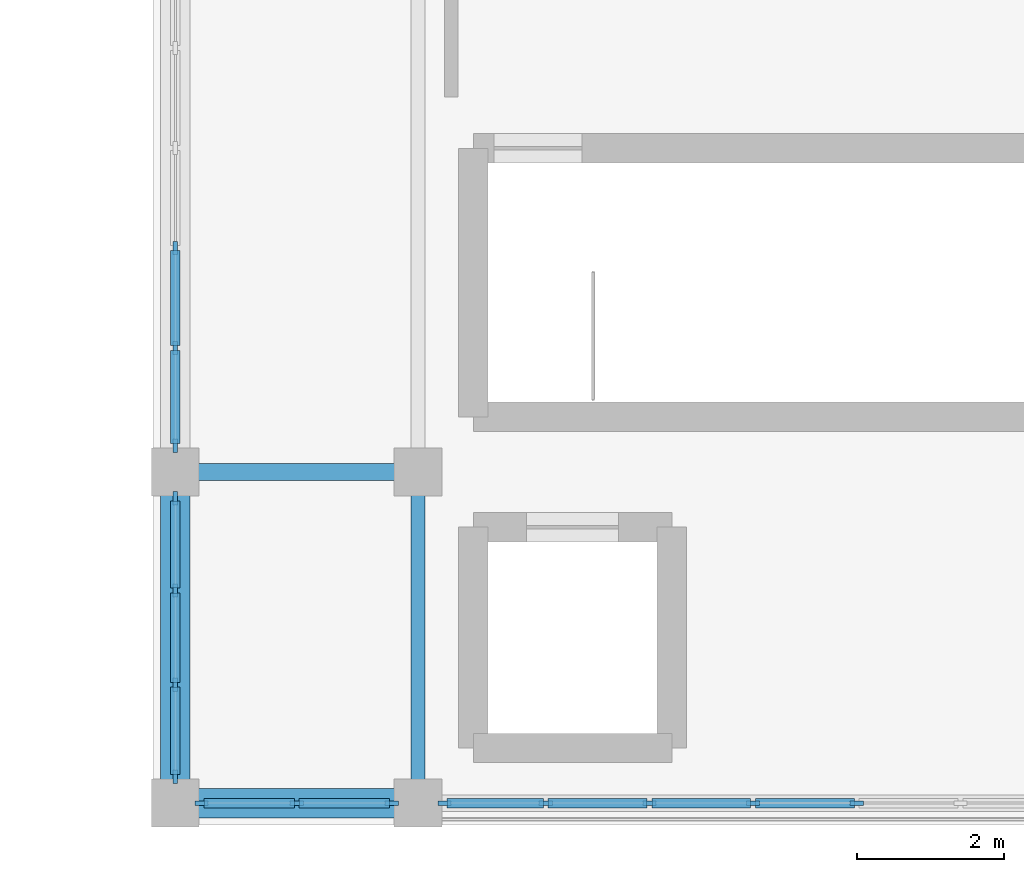
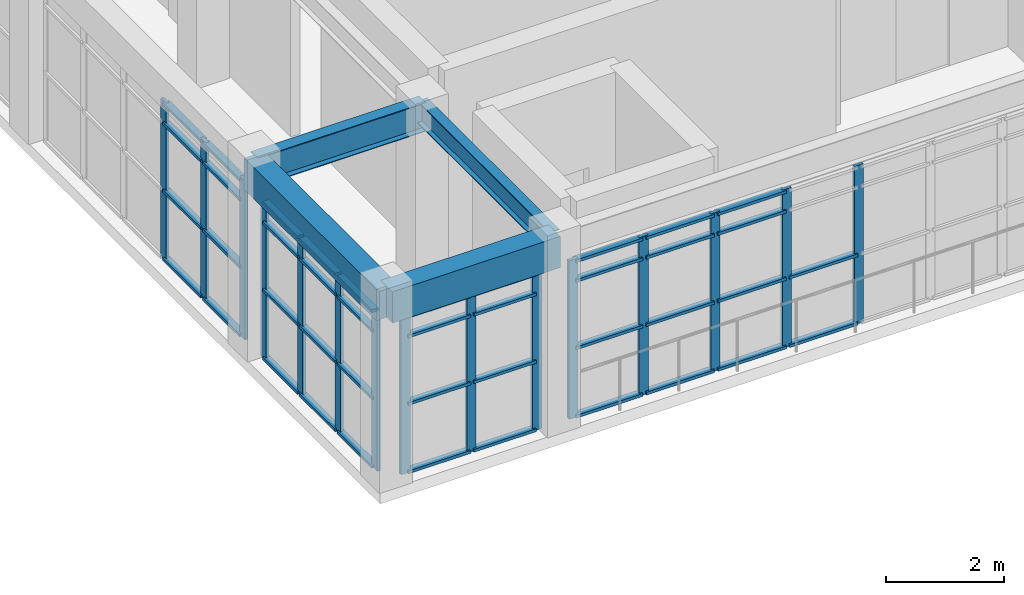
# One storey, part 17 of 66: 57 members, 4 beams, 4 elements without a shape of their own.
"""IFC4 building model written with IfcOpenShell, lengths in metres."""

from ifc_helpers import new_model, si_unit, direction, frame, origin, origin_2d, place, context, subcontext, project, spatial, rectangle, i_section, extrude, material, layer, layer_set, material_profile, profile_set, type_object, element, aggregate, save


model = new_model("IFC4")

# Units and contexts
model_context = context("Model", 3, precision=1e-05, world=origin(), true_north=direction((0.0, 1.0)))
body_context = subcontext(model_context, "Body", "Model", "MODEL_VIEW")
ifc_project = project(units=[si_unit("LENGTHUNIT", "METRE"), si_unit("AREAUNIT", "SQUARE_METRE"), si_unit("VOLUMEUNIT", "CUBIC_METRE"), si_unit("PLANEANGLEUNIT", "RADIAN"), si_unit("MASSUNIT", "GRAM", prefix="KILO")], contexts=[model_context])

# Site, building, storey
site_placement = place(None, origin())
site = spatial("IfcSite", under=ifc_project, at=site_placement, CompositionType="ELEMENT")
building_placement = place(site_placement, origin())
building = spatial("IfcBuilding", under=site, at=building_placement, Name="Candilejo Ridge Gondola Terminal", CompositionType="ELEMENT")
storey_placement = place(building_placement, frame((0.0, 0.0, 14.39990234375)))
storey = spatial("IfcBuildingStorey", under=building, at=storey_placement, Name="L03", CompositionType="ELEMENT", Elevation=14.39990234375)

# Curtain wall, members
ifc_material_1 = material(Name="Anodised aluminium AA 6063-T6", Category="aluminium")
ifc_layer_1 = layer(ifc_material_1, 0.169921875)
ifc_layer_set_1 = layer_set([ifc_layer_1], Name="ARC-CW-HALL-3800-385X329")
curtain_wall_type_1 = type_object("IfcCurtainWallType", Name="ARC-CW-HALL-3800-385X329", PredefinedType="NOTDEFINED", material=ifc_layer_set_1)
curtain_wall_1_placement = place(storey_placement, origin())
curtain_wall_1 = element("IfcCurtainWall", 1, at=curtain_wall_1_placement, inside=storey, type_object=curtain_wall_type_1, Name="Curtain wall V4 L03-152", PredefinedType="NOTDEFINED")
ifc_material_2 = material(Name="Anodised aluminium AA 6063-T6", Category="aluminium")
ifc_material_profile_1 = material_profile(ifc_material_2, rectangle(XDim=0.06494140625, YDim=0.179931640625, at=origin_2d()))
ifc_profile_set_1 = profile_set([ifc_material_profile_1], Name="Anodised aluminium AA 6063-T6")
member_type_1 = type_object("IfcMemberType", Name="ARC-CW-MULLION-180", PredefinedType="MULLION", material=ifc_profile_set_1)
member_1_placement = place(storey_placement, frame((133.89990234375, 6.657470703125, 0.0), z_axis=(0.0, 0.0, 1.0), x_axis=(-1.0, 0.0, 0.0)))
member_1 = element("IfcMember", 2, at=member_1_placement, type_object=member_type_1, Name="CW-38X32 mullion 1", PredefinedType="MULLION", context=body_context, shape_type="SweptSolid", body=[
    extrude(rectangle(XDim=0.06494140625, YDim=0.179931640625, at=origin_2d()), origin(), (0.0, 0.0, 1.0), 3.2900390625),
])
member_2_placement = place(storey_placement, frame((133.89990234375, 7.908447265625, 0.0), z_axis=(0.0, 0.0, 1.0), x_axis=(-1.0, 0.0, 0.0)))
member_2 = element("IfcMember", 3, at=member_2_placement, type_object=member_type_1, Name="CW-38X32 mullion 2", PredefinedType="MULLION", context=body_context, shape_type="SweptSolid", body=[
    extrude(rectangle(XDim=0.06494140625, YDim=0.179931640625, at=origin_2d()), origin(), (0.0, 0.0, 1.0), 3.2900390625),
])
member_3_placement = place(storey_placement, frame((133.89990234375, 9.191650390625, 0.0), z_axis=(0.0, 0.0, 1.0), x_axis=(-1.0, 0.0, 0.0)))
member_3 = element("IfcMember", 4, at=member_3_placement, type_object=member_type_1, Name="CW-38X32 mullion 3", PredefinedType="MULLION", context=body_context, shape_type="SweptSolid", body=[
    extrude(rectangle(XDim=0.06494140625, YDim=0.179931640625, at=origin_2d()), origin(), (0.0, 0.0, 1.0), 3.2900390625),
])
member_4_placement = place(storey_placement, frame((133.89990234375, 10.4423828125, 0.0), z_axis=(0.0, 0.0, 1.0), x_axis=(-1.0, 0.0, 0.0)))
member_4 = element("IfcMember", 5, at=member_4_placement, type_object=member_type_1, Name="CW-38X32 mullion 4", PredefinedType="MULLION", context=body_context, shape_type="SweptSolid", body=[
    extrude(rectangle(XDim=0.06494140625, YDim=0.179931640625, at=origin_2d()), origin(), (0.0, 0.0, 1.0), 3.2900390625),
])

ifc_material_3 = material(Name="Anodised aluminium AA 6063-T6", Category="aluminium")
ifc_layer_2 = layer(ifc_material_3, 0.169921875)
ifc_layer_set_2 = layer_set([ifc_layer_2], Name="ARC-CW-HALL-3800-680X329")
curtain_wall_type_2 = type_object("IfcCurtainWallType", Name="ARC-CW-HALL-3800-680X329", PredefinedType="NOTDEFINED", material=ifc_layer_set_2)
curtain_wall_2_placement = place(storey_placement, origin())
curtain_wall_2 = element("IfcCurtainWall", 6, at=curtain_wall_2_placement, inside=storey, type_object=curtain_wall_type_2, Name="Curtain wall V4 L03-154", PredefinedType="NOTDEFINED")
member_5_placement = place(storey_placement, frame((133.89990234375, 11.157470703125, 0.0), z_axis=(0.0, 0.0, 1.0), x_axis=(-1.0, 0.0, 0.0)))
member_5 = element("IfcMember", 7, at=member_5_placement, type_object=member_type_1, Name="CW-68X32 mullion 1", PredefinedType="MULLION", context=body_context, shape_type="SweptSolid", body=[
    extrude(rectangle(XDim=0.06494140625, YDim=0.179931640625, at=origin_2d()), origin(), (0.0, 0.0, 1.0), 3.2900390625),
])
member_6_placement = place(storey_placement, frame((133.89990234375, 12.485107421875, 0.0), z_axis=(0.0, 0.0, 1.0), x_axis=(-1.0, 0.0, 0.0)))
member_6 = element("IfcMember", 8, at=member_6_placement, type_object=member_type_1, Name="CW-68X32 mullion 2", PredefinedType="MULLION", context=body_context, shape_type="SweptSolid", body=[
    extrude(rectangle(XDim=0.06494140625, YDim=0.179931640625, at=origin_2d()), origin(), (0.0, 0.0, 1.0), 3.2900390625),
])
member_7_placement = place(storey_placement, frame((133.89990234375, 13.844970703125, 0.0), z_axis=(0.0, 0.0, 1.0), x_axis=(-1.0, 0.0, 0.0)))
member_7 = element("IfcMember", 9, at=member_7_placement, type_object=member_type_1, Name="CW-68X32 mullion 3", PredefinedType="MULLION", context=body_context, shape_type="SweptSolid", body=[
    extrude(rectangle(XDim=0.06494140625, YDim=0.179931640625, at=origin_2d()), origin(), (0.0, 0.0, 1.0), 3.2900390625),
])

ifc_material_4 = material(Name="Anodised aluminium AA 6063-T6", Category="aluminium")
ifc_layer_3 = layer(ifc_material_4, 0.169921875)
ifc_layer_set_3 = layer_set([ifc_layer_3], Name="ARC-CW-HALL-3800-265X329")
curtain_wall_type_3 = type_object("IfcCurtainWallType", Name="ARC-CW-HALL-3800-265X329", PredefinedType="NOTDEFINED", material=ifc_layer_set_3)
curtain_wall_3_placement = place(storey_placement, origin())
curtain_wall_3 = element("IfcCurtainWall", 10, at=curtain_wall_3_placement, inside=storey, type_object=curtain_wall_type_3, Name="Curtain wall V4 L03-164", PredefinedType="NOTDEFINED")
member_8_placement = place(storey_placement, frame((134.257568359375, 6.300048828125, 0.0), z_axis=(0.0, 0.0, 1.0), x_axis=(0.0, 1.0, 0.0)))
member_8 = element("IfcMember", 11, at=member_8_placement, type_object=member_type_1, Name="CW-26X32 mullion 1", PredefinedType="MULLION", context=body_context, shape_type="SweptSolid", body=[
    extrude(rectangle(XDim=0.06494140625, YDim=0.179931640625, at=origin_2d()), origin(), (0.0, 0.0, 1.0), 3.2900390625),
])
member_9_placement = place(storey_placement, frame((135.550048828125, 6.300048828125, 0.0), z_axis=(0.0, 0.0, 1.0), x_axis=(0.0, 1.0, 0.0)))
member_9 = element("IfcMember", 12, at=member_9_placement, type_object=member_type_1, Name="CW-26X32 mullion 2", PredefinedType="MULLION", context=body_context, shape_type="SweptSolid", body=[
    extrude(rectangle(XDim=0.06494140625, YDim=0.179931640625, at=origin_2d()), origin(), (0.0, 0.0, 1.0), 3.2900390625),
])
member_10_placement = place(storey_placement, frame((136.842529296875, 6.300048828125, 0.0), z_axis=(0.0, 0.0, 1.0), x_axis=(0.0, 1.0, 0.0)))
member_10 = element("IfcMember", 13, at=member_10_placement, type_object=member_type_1, Name="CW-26X32 mullion 3", PredefinedType="MULLION", context=body_context, shape_type="SweptSolid", body=[
    extrude(rectangle(XDim=0.06494140625, YDim=0.179931640625, at=origin_2d()), origin(), (0.0, 0.0, 1.0), 3.2900390625),
])

ifc_material_5 = material(Name="Anodised aluminium AA 6063-T6", Category="aluminium")
ifc_layer_4 = layer(ifc_material_5, 0.169921875)
ifc_layer_set_4 = layer_set([ifc_layer_4], Name="ARC-CW-HALL-3800-1128X329")
curtain_wall_type_4 = type_object("IfcCurtainWallType", Name="ARC-CW-HALL-3800-1128X329", PredefinedType="NOTDEFINED", material=ifc_layer_set_4)
curtain_wall_4_placement = place(storey_placement, origin())
curtain_wall_4 = element("IfcCurtainWall", 14, at=curtain_wall_4_placement, inside=storey, type_object=curtain_wall_type_4, Name="Curtain wall V4 L03-166", PredefinedType="NOTDEFINED")
member_11_placement = place(storey_placement, frame((137.5576171875, 6.300048828125, 0.0), z_axis=(0.0, 0.0, 1.0), x_axis=(0.0, 1.0, 0.0)))
member_11 = element("IfcMember", 15, at=member_11_placement, type_object=member_type_1, Name="CW-112X32 mullion 1", PredefinedType="MULLION", context=body_context, shape_type="SweptSolid", body=[
    extrude(rectangle(XDim=0.06494140625, YDim=0.179931640625, at=origin_2d()), origin(), (0.0, 0.0, 1.0), 3.2900390625),
])
member_12_placement = place(storey_placement, frame((138.934326171875, 6.300048828125, 0.0), z_axis=(0.0, 0.0, 1.0), x_axis=(0.0, 1.0, 0.0)))
member_12 = element("IfcMember", 16, at=member_12_placement, type_object=member_type_1, Name="CW-112X32 mullion 2", PredefinedType="MULLION", context=body_context, shape_type="SweptSolid", body=[
    extrude(rectangle(XDim=0.06494140625, YDim=0.179931640625, at=origin_2d()), origin(), (0.0, 0.0, 1.0), 3.2900390625),
])
member_13_placement = place(storey_placement, frame((140.34375, 6.300048828125, 0.0), z_axis=(0.0, 0.0, 1.0), x_axis=(0.0, 1.0, 0.0)))
member_13 = element("IfcMember", 17, at=member_13_placement, type_object=member_type_1, Name="CW-112X32 mullion 3", PredefinedType="MULLION", context=body_context, shape_type="SweptSolid", body=[
    extrude(rectangle(XDim=0.06494140625, YDim=0.179931640625, at=origin_2d()), origin(), (0.0, 0.0, 1.0), 3.2900390625),
])
member_14_placement = place(storey_placement, frame((141.753173828125, 6.300048828125, 0.0), z_axis=(0.0, 0.0, 1.0), x_axis=(0.0, 1.0, 0.0)))
member_14 = element("IfcMember", 18, at=member_14_placement, type_object=member_type_1, Name="CW-112X32 mullion 4", PredefinedType="MULLION", context=body_context, shape_type="SweptSolid", body=[
    extrude(rectangle(XDim=0.06494140625, YDim=0.179931640625, at=origin_2d()), origin(), (0.0, 0.0, 1.0), 3.2900390625),
])
member_15_placement = place(storey_placement, frame((143.16259765625, 6.300048828125, 0.0), z_axis=(0.0, 0.0, 1.0), x_axis=(0.0, 1.0, 0.0)))
member_15 = element("IfcMember", 19, at=member_15_placement, type_object=member_type_1, Name="CW-112X32 mullion 5", PredefinedType="MULLION", context=body_context, shape_type="SweptSolid", body=[
    extrude(rectangle(XDim=0.06494140625, YDim=0.179931640625, at=origin_2d()), origin(), (0.0, 0.0, 1.0), 3.2900390625),
])

# Member
ifc_material_6 = material(Name="Anodised aluminium AA 6063-T6", Category="aluminium")
ifc_material_profile_2 = material_profile(ifc_material_6, rectangle(XDim=0.1298828125, YDim=0.06005859375, at=origin_2d()))
ifc_profile_set_2 = profile_set([ifc_material_profile_2], Name="Anodised aluminium AA 6063-T6")
member_type_2 = type_object("IfcMemberType", Name="ARC-CW-TRANSOM-130", PredefinedType="USERDEFINED", material=ifc_profile_set_2)
member_16_placement = place(storey_placement, frame((133.89990234375, 6.68994140625, 0.030029296875), z_axis=(0.0, 1.0, 0.0), x_axis=(-1.0, 0.0, 0.0)))
member_16 = element("IfcMember", 20, at=member_16_placement, type_object=member_type_2, Name="CW-38X32 transom 1.1", ObjectType="TRANSOM", PredefinedType="USERDEFINED", context=body_context, shape_type="SweptSolid", body=[
    extrude(rectangle(XDim=0.1298828125, YDim=0.06005859375, at=origin_2d()), origin(), (0.0, 0.0, 1.0), 1.185791015625),
])

member_17_placement = place(storey_placement, frame((133.89990234375, 6.68994140625, 1.4501953125), z_axis=(0.0, 1.0, 0.0), x_axis=(-1.0, 0.0, 0.0)))
member_17 = element("IfcMember", 21, at=member_17_placement, type_object=member_type_2, Name="CW-38X32 transom 1.2", ObjectType="TRANSOM", PredefinedType="USERDEFINED", context=body_context, shape_type="SweptSolid", body=[
    extrude(rectangle(XDim=0.1298828125, YDim=0.06005859375, at=origin_2d()), origin(), (0.0, 0.0, 1.0), 1.185791015625),
])

member_18_placement = place(storey_placement, frame((133.89990234375, 6.68994140625, 2.85009765625), z_axis=(0.0, 1.0, 0.0), x_axis=(-1.0, 0.0, 0.0)))
member_18 = element("IfcMember", 22, at=member_18_placement, type_object=member_type_2, Name="CW-38X32 transom 1.3", ObjectType="TRANSOM", PredefinedType="USERDEFINED", context=body_context, shape_type="SweptSolid", body=[
    extrude(rectangle(XDim=0.1298828125, YDim=0.06005859375, at=origin_2d()), origin(), (0.0, 0.0, 1.0), 1.185791015625),
])

member_19_placement = place(storey_placement, frame((133.89990234375, 6.68994140625, 3.260009765625), z_axis=(0.0, 1.0, 0.0), x_axis=(-1.0, 0.0, 0.0)))
member_19 = element("IfcMember", 23, at=member_19_placement, type_object=member_type_2, Name="CW-38X32 transom 1.4", ObjectType="TRANSOM", PredefinedType="USERDEFINED", context=body_context, shape_type="SweptSolid", body=[
    extrude(rectangle(XDim=0.1298828125, YDim=0.06005859375, at=origin_2d()), origin(), (0.0, 0.0, 1.0), 1.185791015625),
])

member_20_placement = place(storey_placement, frame((133.89990234375, 7.94091796875, 0.030029296875), z_axis=(0.0, 1.0, 0.0), x_axis=(-1.0, 0.0, 0.0)))
member_20 = element("IfcMember", 24, at=member_20_placement, type_object=member_type_2, Name="CW-38X32 transom 2.1", ObjectType="TRANSOM", PredefinedType="USERDEFINED", context=body_context, shape_type="SweptSolid", body=[
    extrude(rectangle(XDim=0.1298828125, YDim=0.06005859375, at=origin_2d()), origin(), (0.0, 0.0, 1.0), 1.21826171875),
])

member_21_placement = place(storey_placement, frame((133.89990234375, 7.94091796875, 1.4501953125), z_axis=(0.0, 1.0, 0.0), x_axis=(-1.0, 0.0, 0.0)))
member_21 = element("IfcMember", 25, at=member_21_placement, type_object=member_type_2, Name="CW-38X32 transom 2.2", ObjectType="TRANSOM", PredefinedType="USERDEFINED", context=body_context, shape_type="SweptSolid", body=[
    extrude(rectangle(XDim=0.1298828125, YDim=0.06005859375, at=origin_2d()), origin(), (0.0, 0.0, 1.0), 1.21826171875),
])

member_22_placement = place(storey_placement, frame((133.89990234375, 7.94091796875, 2.85009765625), z_axis=(0.0, 1.0, 0.0), x_axis=(-1.0, 0.0, 0.0)))
member_22 = element("IfcMember", 26, at=member_22_placement, type_object=member_type_2, Name="CW-38X32 transom 2.3", ObjectType="TRANSOM", PredefinedType="USERDEFINED", context=body_context, shape_type="SweptSolid", body=[
    extrude(rectangle(XDim=0.1298828125, YDim=0.06005859375, at=origin_2d()), origin(), (0.0, 0.0, 1.0), 1.21826171875),
])

member_23_placement = place(storey_placement, frame((133.89990234375, 7.94091796875, 3.260009765625), z_axis=(0.0, 1.0, 0.0), x_axis=(-1.0, 0.0, 0.0)))
member_23 = element("IfcMember", 27, at=member_23_placement, type_object=member_type_2, Name="CW-38X32 transom 2.4", ObjectType="TRANSOM", PredefinedType="USERDEFINED", context=body_context, shape_type="SweptSolid", body=[
    extrude(rectangle(XDim=0.1298828125, YDim=0.06005859375, at=origin_2d()), origin(), (0.0, 0.0, 1.0), 1.21826171875),
])

member_24_placement = place(storey_placement, frame((133.89990234375, 9.22412109375, 0.030029296875), z_axis=(0.0, 1.0, 0.0), x_axis=(-1.0, 0.0, 0.0)))
member_24 = element("IfcMember", 28, at=member_24_placement, type_object=member_type_2, Name="CW-38X32 transom 3.1", ObjectType="TRANSOM", PredefinedType="USERDEFINED", context=body_context, shape_type="SweptSolid", body=[
    extrude(rectangle(XDim=0.1298828125, YDim=0.06005859375, at=origin_2d()), origin(), (0.0, 0.0, 1.0), 1.185791015625),
])

member_25_placement = place(storey_placement, frame((133.89990234375, 9.22412109375, 1.4501953125), z_axis=(0.0, 1.0, 0.0), x_axis=(-1.0, 0.0, 0.0)))
member_25 = element("IfcMember", 29, at=member_25_placement, type_object=member_type_2, Name="CW-38X32 transom 3.2", ObjectType="TRANSOM", PredefinedType="USERDEFINED", context=body_context, shape_type="SweptSolid", body=[
    extrude(rectangle(XDim=0.1298828125, YDim=0.06005859375, at=origin_2d()), origin(), (0.0, 0.0, 1.0), 1.185791015625),
])

member_26_placement = place(storey_placement, frame((133.89990234375, 9.22412109375, 2.85009765625), z_axis=(0.0, 1.0, 0.0), x_axis=(-1.0, 0.0, 0.0)))
member_26 = element("IfcMember", 30, at=member_26_placement, type_object=member_type_2, Name="CW-38X32 transom 3.3", ObjectType="TRANSOM", PredefinedType="USERDEFINED", context=body_context, shape_type="SweptSolid", body=[
    extrude(rectangle(XDim=0.1298828125, YDim=0.06005859375, at=origin_2d()), origin(), (0.0, 0.0, 1.0), 1.185791015625),
])

member_27_placement = place(storey_placement, frame((133.89990234375, 9.22412109375, 3.260009765625), z_axis=(0.0, 1.0, 0.0), x_axis=(-1.0, 0.0, 0.0)))
member_27 = element("IfcMember", 31, at=member_27_placement, type_object=member_type_2, Name="CW-38X32 transom 3.4", ObjectType="TRANSOM", PredefinedType="USERDEFINED", context=body_context, shape_type="SweptSolid", body=[
    extrude(rectangle(XDim=0.1298828125, YDim=0.06005859375, at=origin_2d()), origin(), (0.0, 0.0, 1.0), 1.185791015625),
])

aggregate(curtain_wall_1, [member_1, member_2, member_3, member_4, member_16, member_17, member_18, member_19, member_20, member_21, member_22, member_23, member_24, member_25, member_26, member_27])

member_28_placement = place(storey_placement, frame((133.89990234375, 11.18994140625, 0.030029296875), z_axis=(0.0, 1.0, 0.0), x_axis=(-1.0, 0.0, 0.0)))
member_28 = element("IfcMember", 32, at=member_28_placement, type_object=member_type_2, Name="CW-68X32 transom 1.1", ObjectType="TRANSOM", PredefinedType="USERDEFINED", context=body_context, shape_type="SweptSolid", body=[
    extrude(rectangle(XDim=0.1298828125, YDim=0.06005859375, at=origin_2d()), origin(), (0.0, 0.0, 1.0), 1.262451171875),
])

member_29_placement = place(storey_placement, frame((133.89990234375, 11.18994140625, 1.4501953125), z_axis=(0.0, 1.0, 0.0), x_axis=(-1.0, 0.0, 0.0)))
member_29 = element("IfcMember", 33, at=member_29_placement, type_object=member_type_2, Name="CW-68X32 transom 1.2", ObjectType="TRANSOM", PredefinedType="USERDEFINED", context=body_context, shape_type="SweptSolid", body=[
    extrude(rectangle(XDim=0.1298828125, YDim=0.06005859375, at=origin_2d()), origin(), (0.0, 0.0, 1.0), 1.262451171875),
])

member_30_placement = place(storey_placement, frame((133.89990234375, 11.18994140625, 2.85009765625), z_axis=(0.0, 1.0, 0.0), x_axis=(-1.0, 0.0, 0.0)))
member_30 = element("IfcMember", 34, at=member_30_placement, type_object=member_type_2, Name="CW-68X32 transom 1.3", ObjectType="TRANSOM", PredefinedType="USERDEFINED", context=body_context, shape_type="SweptSolid", body=[
    extrude(rectangle(XDim=0.1298828125, YDim=0.06005859375, at=origin_2d()), origin(), (0.0, 0.0, 1.0), 1.262451171875),
])

member_31_placement = place(storey_placement, frame((133.89990234375, 11.18994140625, 3.260009765625), z_axis=(0.0, 1.0, 0.0), x_axis=(-1.0, 0.0, 0.0)))
member_31 = element("IfcMember", 35, at=member_31_placement, type_object=member_type_2, Name="CW-68X32 transom 1.4", ObjectType="TRANSOM", PredefinedType="USERDEFINED", context=body_context, shape_type="SweptSolid", body=[
    extrude(rectangle(XDim=0.1298828125, YDim=0.06005859375, at=origin_2d()), origin(), (0.0, 0.0, 1.0), 1.262451171875),
])

member_32_placement = place(storey_placement, frame((133.89990234375, 12.517578125, 0.030029296875), z_axis=(0.0, 1.0, 0.0), x_axis=(-1.0, 0.0, 0.0)))
member_32 = element("IfcMember", 36, at=member_32_placement, type_object=member_type_2, Name="CW-68X32 transom 2.1", ObjectType="TRANSOM", PredefinedType="USERDEFINED", context=body_context, shape_type="SweptSolid", body=[
    extrude(rectangle(XDim=0.1298828125, YDim=0.06005859375, at=origin_2d()), origin(), (0.0, 0.0, 1.0), 1.294921875),
])

member_33_placement = place(storey_placement, frame((133.89990234375, 12.517578125, 1.4501953125), z_axis=(0.0, 1.0, 0.0), x_axis=(-1.0, 0.0, 0.0)))
member_33 = element("IfcMember", 37, at=member_33_placement, type_object=member_type_2, Name="CW-68X32 transom 2.2", ObjectType="TRANSOM", PredefinedType="USERDEFINED", context=body_context, shape_type="SweptSolid", body=[
    extrude(rectangle(XDim=0.1298828125, YDim=0.06005859375, at=origin_2d()), origin(), (0.0, 0.0, 1.0), 1.294921875),
])

member_34_placement = place(storey_placement, frame((133.89990234375, 12.517578125, 2.85009765625), z_axis=(0.0, 1.0, 0.0), x_axis=(-1.0, 0.0, 0.0)))
member_34 = element("IfcMember", 38, at=member_34_placement, type_object=member_type_2, Name="CW-68X32 transom 2.3", ObjectType="TRANSOM", PredefinedType="USERDEFINED", context=body_context, shape_type="SweptSolid", body=[
    extrude(rectangle(XDim=0.1298828125, YDim=0.06005859375, at=origin_2d()), origin(), (0.0, 0.0, 1.0), 1.294921875),
])

member_35_placement = place(storey_placement, frame((133.89990234375, 12.517578125, 3.260009765625), z_axis=(0.0, 1.0, 0.0), x_axis=(-1.0, 0.0, 0.0)))
member_35 = element("IfcMember", 39, at=member_35_placement, type_object=member_type_2, Name="CW-68X32 transom 2.4", ObjectType="TRANSOM", PredefinedType="USERDEFINED", context=body_context, shape_type="SweptSolid", body=[
    extrude(rectangle(XDim=0.1298828125, YDim=0.06005859375, at=origin_2d()), origin(), (0.0, 0.0, 1.0), 1.294921875),
])

aggregate(curtain_wall_2, [member_5, member_6, member_7, member_28, member_29, member_30, member_31, member_32, member_33, member_34, member_35])

member_36_placement = place(storey_placement, frame((134.2900390625, 6.300048828125, 0.030029296875), z_axis=(1.0, 0.0, 0.0), x_axis=(0.0, 1.0, 0.0)))
member_36 = element("IfcMember", 40, at=member_36_placement, type_object=member_type_2, Name="CW-26X32 transom 1.1", ObjectType="TRANSOM", PredefinedType="USERDEFINED", context=body_context, shape_type="SweptSolid", body=[
    extrude(rectangle(XDim=0.1298828125, YDim=0.06005859375, at=origin_2d()), origin(), (0.0, 0.0, 1.0), 1.2275390625),
])

member_37_placement = place(storey_placement, frame((134.2900390625, 6.300048828125, 1.4501953125), z_axis=(1.0, 0.0, 0.0), x_axis=(0.0, 1.0, 0.0)))
member_37 = element("IfcMember", 41, at=member_37_placement, type_object=member_type_2, Name="CW-26X32 transom 1.2", ObjectType="TRANSOM", PredefinedType="USERDEFINED", context=body_context, shape_type="SweptSolid", body=[
    extrude(rectangle(XDim=0.1298828125, YDim=0.06005859375, at=origin_2d()), origin(), (0.0, 0.0, 1.0), 1.2275390625),
])

member_38_placement = place(storey_placement, frame((134.2900390625, 6.300048828125, 2.85009765625), z_axis=(1.0, 0.0, 0.0), x_axis=(0.0, 1.0, 0.0)))
member_38 = element("IfcMember", 42, at=member_38_placement, type_object=member_type_2, Name="CW-26X32 transom 1.3", ObjectType="TRANSOM", PredefinedType="USERDEFINED", context=body_context, shape_type="SweptSolid", body=[
    extrude(rectangle(XDim=0.1298828125, YDim=0.06005859375, at=origin_2d()), origin(), (0.0, 0.0, 1.0), 1.2275390625),
])

member_39_placement = place(storey_placement, frame((134.2900390625, 6.300048828125, 3.260009765625), z_axis=(1.0, 0.0, 0.0), x_axis=(0.0, 1.0, 0.0)))
member_39 = element("IfcMember", 43, at=member_39_placement, type_object=member_type_2, Name="CW-26X32 transom 1.4", ObjectType="TRANSOM", PredefinedType="USERDEFINED", context=body_context, shape_type="SweptSolid", body=[
    extrude(rectangle(XDim=0.1298828125, YDim=0.06005859375, at=origin_2d()), origin(), (0.0, 0.0, 1.0), 1.2275390625),
])

member_40_placement = place(storey_placement, frame((135.58251953125, 6.300048828125, 0.030029296875), z_axis=(1.0, 0.0, 0.0), x_axis=(0.0, 1.0, 0.0)))
member_40 = element("IfcMember", 44, at=member_40_placement, type_object=member_type_2, Name="CW-26X32 transom 2.1", ObjectType="TRANSOM", PredefinedType="USERDEFINED", context=body_context, shape_type="SweptSolid", body=[
    extrude(rectangle(XDim=0.1298828125, YDim=0.06005859375, at=origin_2d()), origin(), (0.0, 0.0, 1.0), 1.2275390625),
])

member_41_placement = place(storey_placement, frame((135.58251953125, 6.300048828125, 1.4501953125), z_axis=(1.0, 0.0, 0.0), x_axis=(0.0, 1.0, 0.0)))
member_41 = element("IfcMember", 45, at=member_41_placement, type_object=member_type_2, Name="CW-26X32 transom 2.2", ObjectType="TRANSOM", PredefinedType="USERDEFINED", context=body_context, shape_type="SweptSolid", body=[
    extrude(rectangle(XDim=0.1298828125, YDim=0.06005859375, at=origin_2d()), origin(), (0.0, 0.0, 1.0), 1.2275390625),
])

member_42_placement = place(storey_placement, frame((135.58251953125, 6.300048828125, 2.85009765625), z_axis=(1.0, 0.0, 0.0), x_axis=(0.0, 1.0, 0.0)))
member_42 = element("IfcMember", 46, at=member_42_placement, type_object=member_type_2, Name="CW-26X32 transom 2.3", ObjectType="TRANSOM", PredefinedType="USERDEFINED", context=body_context, shape_type="SweptSolid", body=[
    extrude(rectangle(XDim=0.1298828125, YDim=0.06005859375, at=origin_2d()), origin(), (0.0, 0.0, 1.0), 1.2275390625),
])

member_43_placement = place(storey_placement, frame((135.58251953125, 6.300048828125, 3.260009765625), z_axis=(1.0, 0.0, 0.0), x_axis=(0.0, 1.0, 0.0)))
member_43 = element("IfcMember", 47, at=member_43_placement, type_object=member_type_2, Name="CW-26X32 transom 2.4", ObjectType="TRANSOM", PredefinedType="USERDEFINED", context=body_context, shape_type="SweptSolid", body=[
    extrude(rectangle(XDim=0.1298828125, YDim=0.06005859375, at=origin_2d()), origin(), (0.0, 0.0, 1.0), 1.2275390625),
])

aggregate(curtain_wall_3, [member_8, member_9, member_10, member_36, member_37, member_38, member_39, member_40, member_41, member_42, member_43])

member_44_placement = place(storey_placement, frame((137.590087890625, 6.300048828125, 0.030029296875), z_axis=(1.0, 0.0, 0.0), x_axis=(0.0, 1.0, 0.0)))
member_44 = element("IfcMember", 48, at=member_44_placement, type_object=member_type_2, Name="CW-112X32 transom 1.1", ObjectType="TRANSOM", PredefinedType="USERDEFINED", context=body_context, shape_type="SweptSolid", body=[
    extrude(rectangle(XDim=0.1298828125, YDim=0.06005859375, at=origin_2d()), origin(), (0.0, 0.0, 1.0), 1.311767578125),
])

member_45_placement = place(storey_placement, frame((137.590087890625, 6.300048828125, 1.4501953125), z_axis=(1.0, 0.0, 0.0), x_axis=(0.0, 1.0, 0.0)))
member_45 = element("IfcMember", 49, at=member_45_placement, type_object=member_type_2, Name="CW-112X32 transom 1.2", ObjectType="TRANSOM", PredefinedType="USERDEFINED", context=body_context, shape_type="SweptSolid", body=[
    extrude(rectangle(XDim=0.1298828125, YDim=0.06005859375, at=origin_2d()), origin(), (0.0, 0.0, 1.0), 1.311767578125),
])

member_46_placement = place(storey_placement, frame((137.590087890625, 6.300048828125, 2.85009765625), z_axis=(1.0, 0.0, 0.0), x_axis=(0.0, 1.0, 0.0)))
member_46 = element("IfcMember", 50, at=member_46_placement, type_object=member_type_2, Name="CW-112X32 transom 1.3", ObjectType="TRANSOM", PredefinedType="USERDEFINED", context=body_context, shape_type="SweptSolid", body=[
    extrude(rectangle(XDim=0.1298828125, YDim=0.06005859375, at=origin_2d()), origin(), (0.0, 0.0, 1.0), 1.311767578125),
])

member_47_placement = place(storey_placement, frame((137.590087890625, 6.300048828125, 3.260009765625), z_axis=(1.0, 0.0, 0.0), x_axis=(0.0, 1.0, 0.0)))
member_47 = element("IfcMember", 51, at=member_47_placement, type_object=member_type_2, Name="CW-112X32 transom 1.4", ObjectType="TRANSOM", PredefinedType="USERDEFINED", context=body_context, shape_type="SweptSolid", body=[
    extrude(rectangle(XDim=0.1298828125, YDim=0.06005859375, at=origin_2d()), origin(), (0.0, 0.0, 1.0), 1.311767578125),
])

member_48_placement = place(storey_placement, frame((138.966796875, 6.300048828125, 0.030029296875), z_axis=(1.0, 0.0, 0.0), x_axis=(0.0, 1.0, 0.0)))
member_48 = element("IfcMember", 52, at=member_48_placement, type_object=member_type_2, Name="CW-112X32 transom 2.1", ObjectType="TRANSOM", PredefinedType="USERDEFINED", context=body_context, shape_type="SweptSolid", body=[
    extrude(rectangle(XDim=0.1298828125, YDim=0.06005859375, at=origin_2d()), origin(), (0.0, 0.0, 1.0), 1.344482421875),
])

member_49_placement = place(storey_placement, frame((138.966796875, 6.300048828125, 1.4501953125), z_axis=(1.0, 0.0, 0.0), x_axis=(0.0, 1.0, 0.0)))
member_49 = element("IfcMember", 53, at=member_49_placement, type_object=member_type_2, Name="CW-112X32 transom 2.2", ObjectType="TRANSOM", PredefinedType="USERDEFINED", context=body_context, shape_type="SweptSolid", body=[
    extrude(rectangle(XDim=0.1298828125, YDim=0.06005859375, at=origin_2d()), origin(), (0.0, 0.0, 1.0), 1.344482421875),
])

member_50_placement = place(storey_placement, frame((138.966796875, 6.300048828125, 2.85009765625), z_axis=(1.0, 0.0, 0.0), x_axis=(0.0, 1.0, 0.0)))
member_50 = element("IfcMember", 54, at=member_50_placement, type_object=member_type_2, Name="CW-112X32 transom 2.3", ObjectType="TRANSOM", PredefinedType="USERDEFINED", context=body_context, shape_type="SweptSolid", body=[
    extrude(rectangle(XDim=0.1298828125, YDim=0.06005859375, at=origin_2d()), origin(), (0.0, 0.0, 1.0), 1.344482421875),
])

member_51_placement = place(storey_placement, frame((138.966796875, 6.300048828125, 3.260009765625), z_axis=(1.0, 0.0, 0.0), x_axis=(0.0, 1.0, 0.0)))
member_51 = element("IfcMember", 55, at=member_51_placement, type_object=member_type_2, Name="CW-112X32 transom 2.4", ObjectType="TRANSOM", PredefinedType="USERDEFINED", context=body_context, shape_type="SweptSolid", body=[
    extrude(rectangle(XDim=0.1298828125, YDim=0.06005859375, at=origin_2d()), origin(), (0.0, 0.0, 1.0), 1.344482421875),
])

member_52_placement = place(storey_placement, frame((140.376220703125, 6.300048828125, 0.030029296875), z_axis=(1.0, 0.0, 0.0), x_axis=(0.0, 1.0, 0.0)))
member_52 = element("IfcMember", 56, at=member_52_placement, type_object=member_type_2, Name="CW-112X32 transom 3.1", ObjectType="TRANSOM", PredefinedType="USERDEFINED", context=body_context, shape_type="SweptSolid", body=[
    extrude(rectangle(XDim=0.1298828125, YDim=0.06005859375, at=origin_2d()), origin(), (0.0, 0.0, 1.0), 1.344482421875),
])

member_53_placement = place(storey_placement, frame((140.376220703125, 6.300048828125, 1.4501953125), z_axis=(1.0, 0.0, 0.0), x_axis=(0.0, 1.0, 0.0)))
member_53 = element("IfcMember", 57, at=member_53_placement, type_object=member_type_2, Name="CW-112X32 transom 3.2", ObjectType="TRANSOM", PredefinedType="USERDEFINED", context=body_context, shape_type="SweptSolid", body=[
    extrude(rectangle(XDim=0.1298828125, YDim=0.06005859375, at=origin_2d()), origin(), (0.0, 0.0, 1.0), 1.344482421875),
])

member_54_placement = place(storey_placement, frame((140.376220703125, 6.300048828125, 2.85009765625), z_axis=(1.0, 0.0, 0.0), x_axis=(0.0, 1.0, 0.0)))
member_54 = element("IfcMember", 58, at=member_54_placement, type_object=member_type_2, Name="CW-112X32 transom 3.3", ObjectType="TRANSOM", PredefinedType="USERDEFINED", context=body_context, shape_type="SweptSolid", body=[
    extrude(rectangle(XDim=0.1298828125, YDim=0.06005859375, at=origin_2d()), origin(), (0.0, 0.0, 1.0), 1.344482421875),
])

member_55_placement = place(storey_placement, frame((140.376220703125, 6.300048828125, 3.260009765625), z_axis=(1.0, 0.0, 0.0), x_axis=(0.0, 1.0, 0.0)))
member_55 = element("IfcMember", 59, at=member_55_placement, type_object=member_type_2, Name="CW-112X32 transom 3.4", ObjectType="TRANSOM", PredefinedType="USERDEFINED", context=body_context, shape_type="SweptSolid", body=[
    extrude(rectangle(XDim=0.1298828125, YDim=0.06005859375, at=origin_2d()), origin(), (0.0, 0.0, 1.0), 1.344482421875),
])

member_56_placement = place(storey_placement, frame((141.78564453125, 6.300048828125, 0.030029296875), z_axis=(1.0, 0.0, 0.0), x_axis=(0.0, 1.0, 0.0)))
member_56 = element("IfcMember", 60, at=member_56_placement, type_object=member_type_2, Name="CW-112X32 transom 4.1", ObjectType="TRANSOM", PredefinedType="USERDEFINED", context=body_context, shape_type="SweptSolid", body=[
    extrude(rectangle(XDim=0.1298828125, YDim=0.06005859375, at=origin_2d()), origin(), (0.0, 0.0, 1.0), 1.34423828125),
])

member_57_placement = place(storey_placement, frame((141.78564453125, 6.300048828125, 1.4501953125), z_axis=(1.0, 0.0, 0.0), x_axis=(0.0, 1.0, 0.0)))
member_57 = element("IfcMember", 61, at=member_57_placement, type_object=member_type_2, Name="CW-112X32 transom 4.2", ObjectType="TRANSOM", PredefinedType="USERDEFINED", context=body_context, shape_type="SweptSolid", body=[
    extrude(rectangle(XDim=0.1298828125, YDim=0.06005859375, at=origin_2d()), origin(), (0.0, 0.0, 1.0), 1.34423828125),
])

aggregate(curtain_wall_4, [member_11, member_12, member_13, member_14, member_15, member_44, member_45, member_46, member_47, member_48, member_49, member_50, member_51, member_52, member_53, member_54, member_55, member_56, member_57])

# Beams
ifc_material_7 = material(Name="Steel ASTM A992 Grade 50", Category="steel")
ifc_material_profile_3 = material_profile(ifc_material_7, i_section(OverallWidth=0.19189453125, OverallDepth=0.462890625, WebThickness=0.010498046875, FlangeThickness=0.017578125, at=origin_2d()))
ifc_profile_set_3 = profile_set([ifc_material_profile_3], Name="Steel ASTM A992 Grade 50")
beam_type_1 = type_object("IfcBeamType", Name="STR-BM-W460X89", PredefinedType="BEAM", material=ifc_profile_set_3)
beam_1_placement = place(storey_placement, frame((137.199951171875, 6.300048828125, 3.7685546875), z_axis=(0.0, 1.0, 0.0), x_axis=(-1.0, 0.0, 0.0)))
element("IfcBeam", 62, at=beam_1_placement, inside=storey, type_object=beam_type_1, Name="Beam Y V4 L03 Y01-Y02@X22", PredefinedType="BEAM", context=body_context, shape_type="SweptSolid", body=[
    extrude(i_section(OverallWidth=0.19189453125, OverallDepth=0.462890625, WebThickness=0.010498046875, FlangeThickness=0.017578125, at=origin_2d()), origin(), (0.0, 0.0, 1.0), 4.5),
])
ifc_material_8 = material(Name="Steel ASTM A992 Grade 50", Category="steel")
ifc_material_profile_4 = material_profile(ifc_material_8, i_section(OverallWidth=0.22802734375, OverallDepth=0.60302734375, WebThickness=0.010498046875, FlangeThickness=0.014892578125, at=origin_2d()))
ifc_profile_set_4 = profile_set([ifc_material_profile_4], Name="Steel ASTM A992 Grade 50")
beam_type_2 = type_object("IfcBeamType", Name="STR-BM-W610X101", PredefinedType="BEAM", material=ifc_profile_set_4)
beam_2_placement = place(storey_placement, frame((133.89990234375, 10.800048828125, 3.698486328125), z_axis=(1.0, 0.0, 0.0), x_axis=(0.0, 1.0, 0.0)))
element("IfcBeam", 63, at=beam_2_placement, inside=storey, type_object=beam_type_2, Name="Beam X V4 L03 X21-X22@Y02", PredefinedType="BEAM", context=body_context, shape_type="SweptSolid", body=[
    extrude(i_section(OverallWidth=0.22802734375, OverallDepth=0.60302734375, WebThickness=0.010498046875, FlangeThickness=0.014892578125, at=origin_2d()), origin(), (0.0, 0.0, 1.0), 3.300048828125),
])
ifc_material_9 = material(Name="Concrete f'c 35 MPa (C35/45)", Category="concrete")
ifc_material_profile_5 = material_profile(ifc_material_9, rectangle(XDim=0.39990234375, YDim=0.64990234375, at=origin_2d()))
ifc_profile_set_5 = profile_set([ifc_material_profile_5], Name="Concrete f'c 35 MPa (C35/45)")
beam_type_3 = type_object("IfcBeamType", Name="STR-SPN-RC400X650", PredefinedType="SPANDREL", material=ifc_profile_set_5)
beam_3_placement = place(storey_placement, frame((133.89990234375, 6.300048828125, 3.675048828125), z_axis=(1.0, 0.0, 0.0), x_axis=(0.0, 1.0, 0.0)))
element("IfcBeam", 64, at=beam_3_placement, inside=storey, type_object=beam_type_3, Name="Beam X V4 L03 X21-X22@Y01", PredefinedType="SPANDREL", context=body_context, shape_type="SweptSolid", body=[
    extrude(rectangle(XDim=0.39990234375, YDim=0.64990234375, at=origin_2d()), origin(), (0.0, 0.0, 1.0), 3.300048828125),
])
beam_4_placement = place(storey_placement, frame((133.89990234375, 6.300048828125, 3.675048828125), z_axis=(0.0, 1.0, 0.0), x_axis=(-1.0, 0.0, 0.0)))
element("IfcBeam", 65, at=beam_4_placement, inside=storey, type_object=beam_type_3, Name="Beam Y V4 L03 Y01-Y02@X21", PredefinedType="SPANDREL", context=body_context, shape_type="SweptSolid", body=[
    extrude(rectangle(XDim=0.39990234375, YDim=0.64990234375, at=origin_2d()), origin(), (0.0, 0.0, 1.0), 4.5),
])

save(model, "model.ifc")
